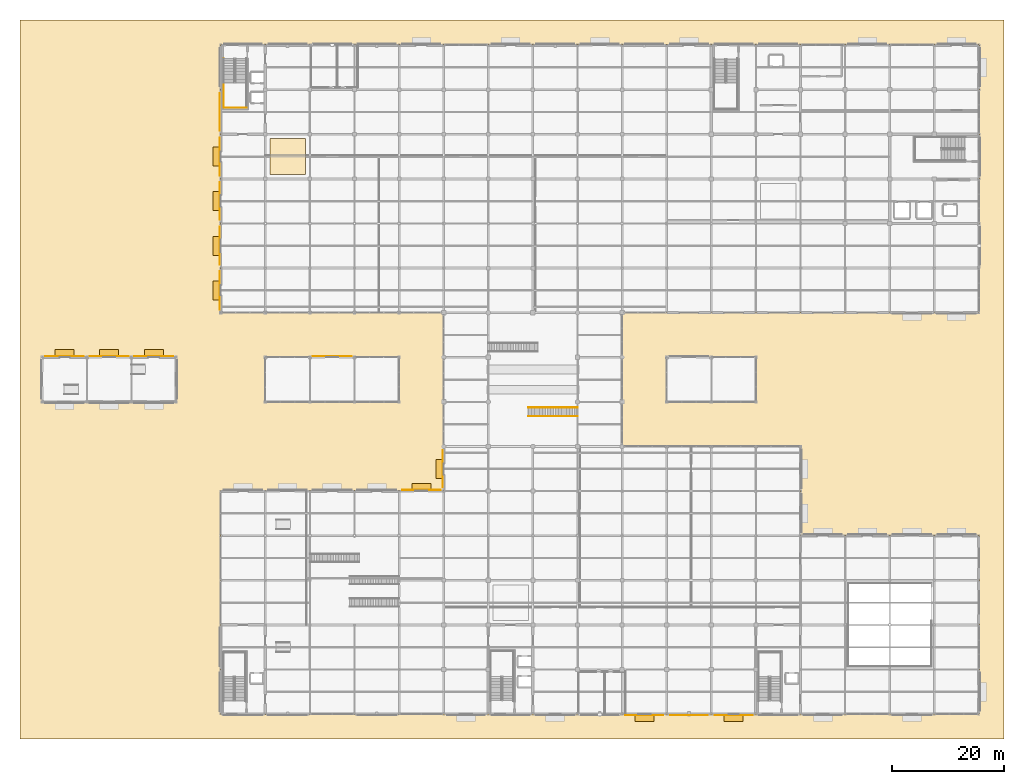
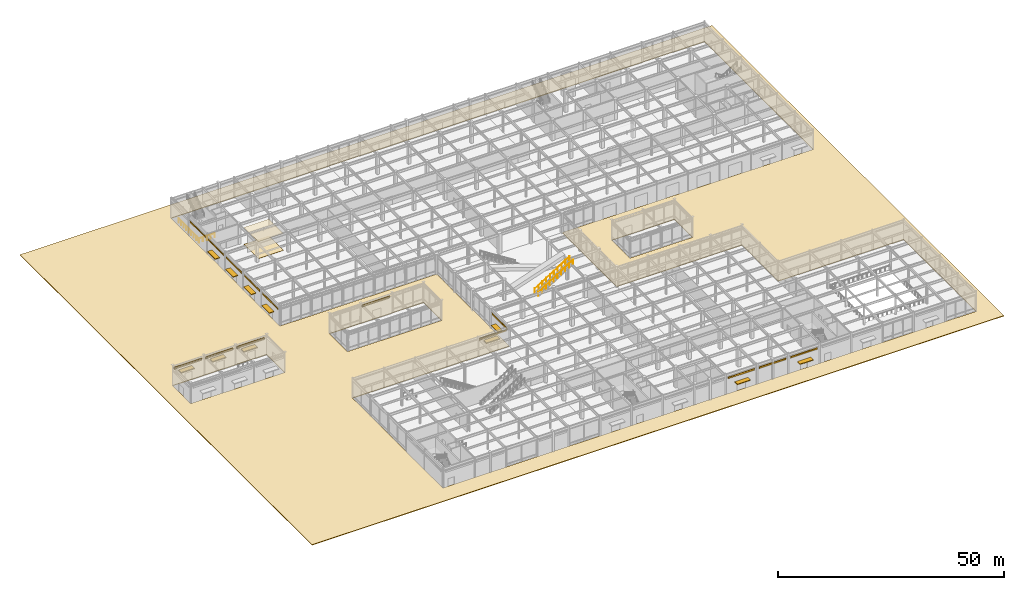
# One storey, part 120 of 128: 17 coverings, 11 shading devices, 6 railings.
"""IFC4 building model written with IfcOpenShell, lengths in metres."""

from ifc_helpers import new_model, si_unit, direction, frame, origin, origin_2d, place, context, subcontext, project, spatial, polyline, rectangle, circle, outline, extrude, material, layer, layer_set, type_object, element, save


model = new_model("IFC4")

# Units and contexts
model_context = context("Model", 3, precision=1e-05, world=origin(), true_north=direction((0.0, 1.0)))
body_context = subcontext(model_context, "Body", "Model", "MODEL_VIEW")
ifc_project = project(units=[si_unit("LENGTHUNIT", "METRE"), si_unit("AREAUNIT", "SQUARE_METRE"), si_unit("VOLUMEUNIT", "CUBIC_METRE"), si_unit("PLANEANGLEUNIT", "RADIAN"), si_unit("MASSUNIT", "GRAM", prefix="KILO")], contexts=[model_context])

# Site, building, storey
site_placement = place(None, origin())
site = spatial("IfcSite", under=ifc_project, at=site_placement, CompositionType="ELEMENT")
building_placement = place(site_placement, origin())
building = spatial("IfcBuilding", under=site, at=building_placement, Name="Solmirada Galleria", CompositionType="ELEMENT")
storey_placement = place(building_placement, origin())
storey = spatial("IfcBuildingStorey", under=building, at=storey_placement, Name="L00", CompositionType="ELEMENT", Elevation=0.0)

# Coverings
ifc_material_1 = material(Name="Perforated acoustic mineral-fibre ceiling")
ifc_layer_1 = layer(ifc_material_1, 0.02490234375)
ifc_layer_set_1 = layer_set([ifc_layer_1], Name="Perforated acoustic mineral-fibre ceiling")
covering_type_1 = type_object("IfcCoveringType", Name="COV-CEIL-ACOUST", PredefinedType="CEILING", material=ifc_layer_set_1)
covering_1_placement = place(storey_placement, frame((0.0, 0.0, 4.550048828125)))
element("IfcCovering", 1, at=covering_1_placement, inside=storey, type_object=covering_type_1, Name="Acoustic ceiling panel L00-1", PredefinedType="CEILING", context=body_context, shape_type="SweptSolid", body=[
    extrude(outline(polyline([(48.800048828125, 96.800048828125), (55.199951171875, 96.800048828125), (55.199951171875, 103.199951171875), (48.800048828125, 103.199951171875), (48.800048828125, 96.800048828125)])), origin(), (0.0, 0.0, 1.0), 0.02490234375),
])
ifc_material_2 = material(Name="Limestone cladding panels", Category="masonry")
ifc_layer_2 = layer(ifc_material_2, 0.044921875)
ifc_layer_set_2 = layer_set([ifc_layer_2], Name="Limestone cladding panels")
covering_type_2 = type_object("IfcCoveringType", Name="COV-CLAD-LIME", PredefinedType="CLADDING", material=ifc_layer_set_2)
covering_2_placement = place(storey_placement, frame((79.8076171875, 44.0, 4.090087890625), z_axis=(0.0, 0.0, 1.0), x_axis=(0.0, 1.0, 0.0)))
element("IfcCovering", 2, at=covering_2_placement, inside=storey, type_object=covering_type_2, Name="Postmodern facade cladding L00-001", PredefinedType="CLADDING", context=body_context, shape_type="SweptSolid", body=[
    extrude(rectangle(XDim=6.6220703125, YDim=0.044921875, at=origin_2d()), origin(), (0.0, 0.0, 1.0), 0.4599609375),
])
covering_3_placement = place(storey_placement, frame((39.8076171875, 76.0, 4.090087890625), z_axis=(0.0, 0.0, 1.0), x_axis=(0.0, 1.0, 0.0)))
element("IfcCovering", 3, at=covering_3_placement, inside=storey, type_object=covering_type_2, Name="Postmodern facade cladding L00-002", PredefinedType="CLADDING", context=body_context, shape_type="SweptSolid", body=[
    extrude(rectangle(XDim=6.869384765625, YDim=0.044921875, at=origin_2d()), origin(), (0.0, 0.0, 1.0), 0.4599609375),
])
covering_4_placement = place(storey_placement, frame((39.8076171875, 84.0, 4.090087890625), z_axis=(0.0, 0.0, 1.0), x_axis=(0.0, 1.0, 0.0)))
element("IfcCovering", 4, at=covering_4_placement, inside=storey, type_object=covering_type_2, Name="Postmodern facade cladding L00-003", PredefinedType="CLADDING", context=body_context, shape_type="SweptSolid", body=[
    extrude(rectangle(XDim=6.76806640625, YDim=0.044921875, at=origin_2d()), origin(), (0.0, 0.0, 1.0), 0.4599609375),
])
covering_5_placement = place(storey_placement, frame((39.8076171875, 92.0, 4.090087890625), z_axis=(0.0, 0.0, 1.0), x_axis=(0.0, 1.0, 0.0)))
element("IfcCovering", 5, at=covering_5_placement, inside=storey, type_object=covering_type_2, Name="Postmodern facade cladding L00-004", PredefinedType="CLADDING", context=body_context, shape_type="SweptSolid", body=[
    extrude(rectangle(XDim=6.742919921875, YDim=0.044921875, at=origin_2d()), origin(), (0.0, 0.0, 1.0), 0.4599609375),
])
for number, where, z_axis, x_axis, name in (
    (6, (39.8076171875, 100.0, 4.090087890625), (0.0, 0.0, 1.0), (0.0, 1.0, 0.0), "Postmodern facade cladding L00-005"),
    (7, (39.8076171875, 108.0, 4.090087890625), (0.0, 0.0, 1.0), (0.0, 1.0, 0.0), "Postmodern facade cladding L00-006"),
    (8, (132.0, -0.1923828125, 4.090087890625), (0.0, 0.0, 1.0), (-1.0, 0.0, 0.0), "Postmodern facade cladding L00-037"),
    (9, (124.0, -0.1923828125, 4.090087890625), (0.0, 0.0, 1.0), (-1.0, 0.0, 0.0), "Postmodern facade cladding L00-038"),
    (10, (116.0, -0.1923828125, 4.090087890625), (0.0, 0.0, 1.0), (-1.0, 0.0, 0.0), "Postmodern facade cladding L00-039"),
):
    element("IfcCovering", number, at=place(storey_placement, frame(where, z_axis=z_axis, x_axis=x_axis)), inside=storey, type_object=covering_type_2, Name=name, PredefinedType="CLADDING", context=body_context, shape_type="SweptSolid", body=[
        extrude(rectangle(XDim=6.7939453125, YDim=0.044921875, at=origin_2d()), origin(), (0.0, 0.0, 1.0), 0.4599609375),
    ])
covering_6_placement = place(storey_placement, frame((76.0, 40.1923828125, 4.090087890625), z_axis=(0.0, 0.0, 1.0), x_axis=(1.0, 0.0, 0.0)))
element("IfcCovering", 11, at=covering_6_placement, inside=storey, type_object=covering_type_2, Name="Postmodern facade cladding L00-053", PredefinedType="CLADDING", context=body_context, shape_type="SweptSolid", body=[
    extrude(rectangle(XDim=6.89501953125, YDim=0.044921875, at=origin_2d()), origin(), (0.0, 0.0, 1.0), 0.4599609375),
])
for number, where, z_axis, x_axis, name in (
    (12, (12.0, 64.1923828125, 4.090087890625), (0.0, 0.0, 1.0), (1.0, 0.0, 0.0), "Postmodern facade cladding L00-058"),
    (13, (20.0, 64.1923828125, 4.090087890625), (0.0, 0.0, 1.0), (1.0, 0.0, 0.0), "Postmodern facade cladding L00-059"),
    (14, (28.0, 64.1923828125, 4.090087890625), (0.0, 0.0, 1.0), (1.0, 0.0, 0.0), "Postmodern facade cladding L00-060"),
    (15, (60.0, 64.1923828125, 4.090087890625), (0.0, 0.0, 1.0), (1.0, 0.0, 0.0), "Postmodern facade cladding L00-062"),
):
    element("IfcCovering", number, at=place(storey_placement, frame(where, z_axis=z_axis, x_axis=x_axis)), inside=storey, type_object=covering_type_2, Name=name, PredefinedType="CLADDING", context=body_context, shape_type="SweptSolid", body=[
        extrude(rectangle(XDim=6.946044921875, YDim=0.044921875, at=origin_2d()), origin(), (0.0, 0.0, 1.0), 0.4599609375),
    ])
ifc_material_3 = material(Name="Polished terrazzo and porcelain tile flooring")
ifc_layer_3 = layer(ifc_material_3, 0.030029296875)
ifc_layer_set_3 = layer_set([ifc_layer_3], Name="Polished terrazzo and porcelain tile flooring")
covering_type_3 = type_object("IfcCoveringType", Name="COV-FLOOR-TERRAZ", PredefinedType="FLOORING", material=ifc_layer_set_3)
covering_7_placement = place(storey_placement, origin())
element("IfcCovering", 16, at=covering_7_placement, inside=storey, type_object=covering_type_3, Name="Terrazzo floor finish L00-1", PredefinedType="FLOORING", context=body_context, shape_type="SweptSolid", body=[
    extrude(outline(polyline([(48.800048828125, 96.800048828125), (55.199951171875, 96.800048828125), (55.199951171875, 103.199951171875), (48.800048828125, 103.199951171875), (48.800048828125, 96.800048828125)])), origin(), (0.0, 0.0, 1.0), 0.030029296875),
])
ifc_material_4 = material(Name="Concrete C35/45 architectural paving", Category="concrete")
ifc_layer_4 = layer(ifc_material_4, 0.159912109375)
ifc_layer_set_4 = layer_set([ifc_layer_4], Name="Concrete C35/45 architectural paving")
covering_type_4 = type_object("IfcCoveringType", Name="COV-SITE-PAVE", PredefinedType="USERDEFINED", material=ifc_layer_set_4)
covering_8_placement = place(storey_placement, frame((0.0, 0.0, -0.159912109375)))
element("IfcCovering", 17, at=covering_8_placement, inside=storey, type_object=covering_type_4, Name="Site promenade, forecourt and arcade street paving 01", ObjectType="PAVING", PredefinedType="USERDEFINED", context=body_context, shape_type="SweptSolid", body=[
    extrude(outline(polyline([(4.0, -4.5), (4.0, 124.5), (180.5, 124.5), (180.5, -4.5), (4.0, -4.5)]), holes=[polyline([(40.0, 40.0), (40.0, 0.0), (80.0, 0.0), (112.0, 0.0), (144.0, 0.0), (176.0, 0.0), (176.0, 32.0), (144.0, 32.0), (144.0, 48.0), (112.0, 48.0), (112.0, 72.0), (120.0, 72.0), (152.0, 72.0), (176.0, 72.0), (176.0, 120.0), (152.0, 120.0), (120.0, 120.0), (80.0, 120.0), (40.0, 120.0), (40.0, 72.0), (80.0, 72.0), (80.0, 48.0), (80.0, 40.0), (40.0, 40.0)]), polyline([(32.0, 64.0), (8.0, 64.0), (8.0, 56.0), (32.0, 56.0), (32.0, 64.0)]), polyline([(48.0, 64.0), (48.0, 56.0), (72.0, 56.0), (72.0, 64.0), (48.0, 64.0)]), polyline([(136.0, 64.0), (120.0, 64.0), (120.0, 56.0), (136.0, 56.0), (136.0, 64.0)])]), origin(), (0.0, 0.0, 1.0), 0.159912109375),
])

# Railings
ifc_material_5 = material(Name="Painted steel tubular railing", Category="steel")
railing_type_1 = type_object("IfcRailingType", Name="RAIL-STAIR-GUARD", PredefinedType="GUARDRAIL", material=ifc_material_5)
railing_1_placement = place(storey_placement, frame((44.610107421875, 108.739990234375, 0.0)))
element("IfcRailing", 18, at=railing_1_placement, inside=storey, type_object=railing_type_1, Name="Stair ST1 well edge guard L00-2", PredefinedType="GUARDRAIL", context=body_context, shape_type="SweptSolid", body=[
    extrude(circle(Radius=0.02392578125, at=origin_2d()), frame((0.0, 0.0, 1.09619140625), z_axis=(-1.0, 0.0, 0.0), x_axis=(0.0, -1.0, 0.0)), (0.0, 0.0, 1.0), 4.070068359375),
    extrude(circle(Radius=0.02099609375, at=origin_2d()), origin(), (0.0, 0.0, 1.0), 1.068115234375),
    extrude(circle(Radius=0.02099609375, at=origin_2d()), frame((-1.017578125, 0.0, 0.0)), (0.0, 0.0, 1.0), 1.068115234375),
    extrude(circle(Radius=0.02099609375, at=origin_2d()), frame((-2.03515625, 0.0, 0.0)), (0.0, 0.0, 1.0), 1.068115234375),
    extrude(circle(Radius=0.02099609375, at=origin_2d()), frame((-3.052490234375, 0.0, 0.0)), (0.0, 0.0, 1.0), 1.068115234375),
    extrude(circle(Radius=0.02099609375, at=origin_2d()), frame((-4.070068359375, 0.0, 0.0)), (0.0, 0.0, 1.0), 1.068115234375),
])
railing_2_placement = place(storey_placement, frame((40.5400390625, 108.739990234375, 0.0)))
element("IfcRailing", 19, at=railing_2_placement, inside=storey, type_object=railing_type_1, Name="Stair ST1 well edge guard L00-3", PredefinedType="GUARDRAIL", context=body_context, shape_type="SweptSolid", body=[
    extrude(circle(Radius=0.02392578125, at=origin_2d()), frame((0.0, 0.0, 1.09619140625), z_axis=(0.0, 1.0, 0.0), x_axis=(-1.0, 0.0, 0.0)), (0.0, 0.0, 1.0), 8.909912109375),
    extrude(circle(Radius=0.02099609375, at=origin_2d()), origin(), (0.0, 0.0, 1.0), 1.068115234375),
    extrude(circle(Radius=0.02099609375, at=origin_2d()), frame((0.0, 1.11376953125, 0.0)), (0.0, 0.0, 1.0), 1.068115234375),
    extrude(circle(Radius=0.02099609375, at=origin_2d()), frame((0.0, 2.2275390625, 0.0)), (0.0, 0.0, 1.0), 1.068115234375),
    extrude(circle(Radius=0.02099609375, at=origin_2d()), frame((0.0, 3.34130859375, 0.0)), (0.0, 0.0, 1.0), 1.068115234375),
    extrude(circle(Radius=0.02099609375, at=origin_2d()), frame((0.0, 4.455078125, 0.0)), (0.0, 0.0, 1.0), 1.068115234375),
    extrude(circle(Radius=0.02099609375, at=origin_2d()), frame((0.0, 5.568603515625, 0.0)), (0.0, 0.0, 1.0), 1.068115234375),
    extrude(circle(Radius=0.02099609375, at=origin_2d()), frame((0.0, 6.682373046875, 0.0)), (0.0, 0.0, 1.0), 1.068115234375),
    extrude(circle(Radius=0.02099609375, at=origin_2d()), frame((0.0, 7.796142578125, 0.0)), (0.0, 0.0, 1.0), 1.068115234375),
    extrude(circle(Radius=0.02099609375, at=origin_2d()), frame((0.0, 8.909912109375, 0.0)), (0.0, 0.0, 1.0), 1.068115234375),
])
for number, where, name in (
    (20, (95.1650390625, 53.425048828125, 0.0), "Grand feature stair ST7 guardrail 1"),
    (21, (95.1650390625, 54.97509765625, 0.0), "Grand feature stair ST7 guardrail 2"),
):
    element("IfcRailing", number, at=place(storey_placement, frame(where)), inside=storey, type_object=railing_type_1, Name=name, PredefinedType="GUARDRAIL", context=body_context, shape_type="SweptSolid", body=[
        extrude(circle(Radius=0.02392578125, at=origin_2d()), frame((0.0, 0.0, 1.09619140625), z_axis=(0.844619268308, 0.0, 0.535367436069), x_axis=(0.0, 1.0, 0.0)), (0.0, 0.0, 1.0), 10.460205078125),
        extrude(circle(Radius=0.02099609375, at=origin_2d()), origin(), (0.0, 0.0, 1.0), 1.068115234375),
        extrude(circle(Radius=0.02099609375, at=origin_2d()), frame((0.981689453125, 0.0, 0.622314453125)), (0.0, 0.0, 1.0), 1.068115234375),
        extrude(circle(Radius=0.02099609375, at=origin_2d()), frame((1.96337890625, 0.0, 1.244384765625)), (0.0, 0.0, 1.0), 1.068115234375),
        extrude(circle(Radius=0.02099609375, at=origin_2d()), frame((2.945068359375, 0.0, 1.86669921875)), (0.0, 0.0, 1.0), 1.068115234375),
        extrude(circle(Radius=0.02099609375, at=origin_2d()), frame((3.9267578125, 0.0, 2.489013671875)), (0.0, 0.0, 1.0), 1.068115234375),
        extrude(circle(Radius=0.02099609375, at=origin_2d()), frame((4.908203125, 0.0, 3.111083984375)), (0.0, 0.0, 1.0), 1.068115234375),
        extrude(circle(Radius=0.02099609375, at=origin_2d()), frame((5.889892578125, 0.0, 3.7333984375)), (0.0, 0.0, 1.0), 1.068115234375),
        extrude(circle(Radius=0.02099609375, at=origin_2d()), frame((6.87158203125, 0.0, 4.355712890625)), (0.0, 0.0, 1.0), 1.068115234375),
        extrude(circle(Radius=0.02099609375, at=origin_2d()), frame((7.853271484375, 0.0, 4.977783203125)), (0.0, 0.0, 1.0), 1.068115234375),
        extrude(circle(Radius=0.02099609375, at=origin_2d()), frame((8.8349609375, 0.0, 5.60009765625)), (0.0, 0.0, 1.0), 1.068115234375),
    ])
railing_type_2 = type_object("IfcRailingType", Name="RAIL-STAIR-HAND", PredefinedType="HANDRAIL", material=ifc_material_5)
for number, where, name in (
    (22, (95.1650390625, 53.425048828125, 0.175048828125), "Grand feature stair ST7 handrail 1"),
    (23, (95.1650390625, 54.97509765625, 0.175048828125), "Grand feature stair ST7 handrail 2"),
):
    element("IfcRailing", number, at=place(storey_placement, frame(where)), inside=storey, type_object=railing_type_2, Name=name, PredefinedType="HANDRAIL", context=body_context, shape_type="SweptSolid", body=[
        extrude(circle(Radius=0.02392578125, at=origin_2d()), frame((0.0, 0.0, 0.8759765625), z_axis=(0.844629822088, 0.0, 0.535350785598), x_axis=(0.0, 1.0, 0.0)), (0.0, 0.0, 1.0), 10.460205078125),
        extrude(circle(Radius=0.02099609375, at=origin_2d()), origin(), (0.0, 0.0, 1.0), 0.847900390625),
        extrude(circle(Radius=0.02099609375, at=origin_2d()), frame((0.981689453125, 0.0, 0.622314453125)), (0.0, 0.0, 1.0), 0.847900390625),
        extrude(circle(Radius=0.02099609375, at=origin_2d()), frame((1.96337890625, 0.0, 1.244384765625)), (0.0, 0.0, 1.0), 0.847900390625),
        extrude(circle(Radius=0.02099609375, at=origin_2d()), frame((2.945068359375, 0.0, 1.86669921875)), (0.0, 0.0, 1.0), 0.847900390625),
        extrude(circle(Radius=0.02099609375, at=origin_2d()), frame((3.9267578125, 0.0, 2.48876953125)), (0.0, 0.0, 1.0), 0.847900390625),
        extrude(circle(Radius=0.02099609375, at=origin_2d()), frame((4.908203125, 0.0, 3.111083984375)), (0.0, 0.0, 1.0), 0.847900390625),
        extrude(circle(Radius=0.02099609375, at=origin_2d()), frame((5.889892578125, 0.0, 3.733154296875)), (0.0, 0.0, 1.0), 0.847900390625),
        extrude(circle(Radius=0.02099609375, at=origin_2d()), frame((6.87158203125, 0.0, 4.35546875)), (0.0, 0.0, 1.0), 0.847900390625),
        extrude(circle(Radius=0.02099609375, at=origin_2d()), frame((7.853271484375, 0.0, 4.9775390625)), (0.0, 0.0, 1.0), 0.847900390625),
        extrude(circle(Radius=0.02099609375, at=origin_2d()), frame((8.8349609375, 0.0, 5.599853515625)), (0.0, 0.0, 1.0), 0.847900390625),
    ])

# Shading devices
ifc_material_6 = material(Name="Extruded aluminium storm louvres", Category="aluminium")
shading_device_type = type_object("IfcShadingDeviceType", Name="SHD-AWNING", PredefinedType="AWNING", material=ifc_material_6)
for number, where, z_axis, x_axis, name in (
    (24, (79.22998046875, 44.0, 2.4599609375), (0.0, 0.0, 1.0), (0.0, 1.0, 0.0), "Storm entrance awning canopy 001"),
    (25, (39.22998046875, 76.0, 2.41015625), (0.0, 0.0, 1.0), (0.0, 1.0, 0.0), "Storm entrance awning canopy 002"),
    (26, (39.22998046875, 84.0, 2.56005859375), (0.0, 0.0, 1.0), (0.0, 1.0, 0.0), "Storm entrance awning canopy 003"),
    (27, (39.22998046875, 92.0, 2.4599609375), (0.0, 0.0, 1.0), (0.0, 1.0, 0.0), "Storm entrance awning canopy 004"),
    (28, (39.22998046875, 100.0, 2.41015625), (0.0, 0.0, 1.0), (0.0, 1.0, 0.0), "Storm entrance awning canopy 005"),
    (29, (132.0, -0.77001953125, 2.41015625), (0.0, 0.0, 1.0), (-1.0, 0.0, 0.0), "Storm entrance awning canopy 024"),
    (30, (116.0, -0.77001953125, 2.56005859375), (0.0, 0.0, 1.0), (-1.0, 0.0, 0.0), "Storm entrance awning canopy 025"),
    (31, (76.0, 40.77001953125, 2.56005859375), (0.0, 0.0, 1.0), (1.0, 0.0, 0.0), "Storm entrance awning canopy 032"),
    (32, (12.0, 64.77001953125, 2.41015625), (0.0, 0.0, 1.0), (1.0, 0.0, 0.0), "Storm entrance awning canopy 036"),
    (33, (20.0, 64.77001953125, 2.56005859375), (0.0, 0.0, 1.0), (1.0, 0.0, 0.0), "Storm entrance awning canopy 037"),
    (34, (28.0, 64.77001953125, 2.4599609375), (0.0, 0.0, 1.0), (1.0, 0.0, 0.0), "Storm entrance awning canopy 038"),
):
    element("IfcShadingDevice", number, at=place(storey_placement, frame(where, z_axis=z_axis, x_axis=x_axis)), inside=storey, type_object=shading_device_type, Name=name, PredefinedType="AWNING", context=body_context, shape_type="SweptSolid", body=[
        extrude(rectangle(XDim=3.39990234375, YDim=1.199951171875, at=origin_2d()), origin(), (0.0, 0.0, 1.0), 0.179931640625),
    ])

save(model, "model.ifc")
